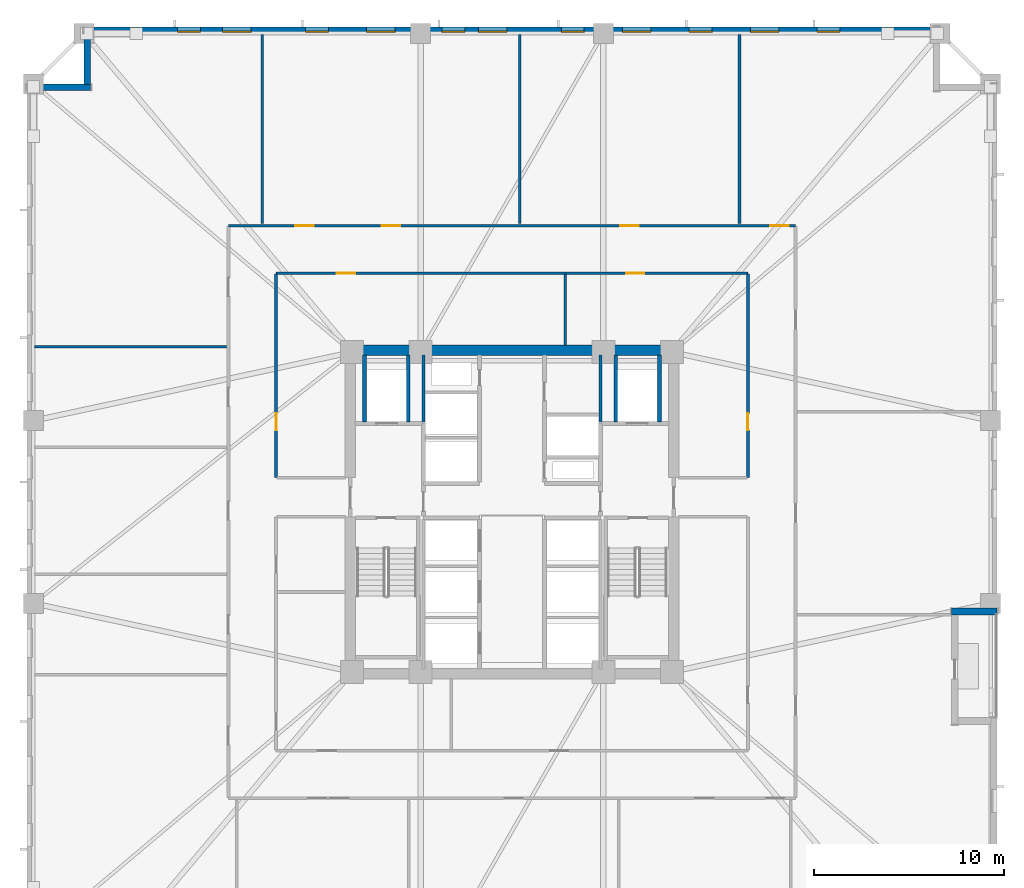
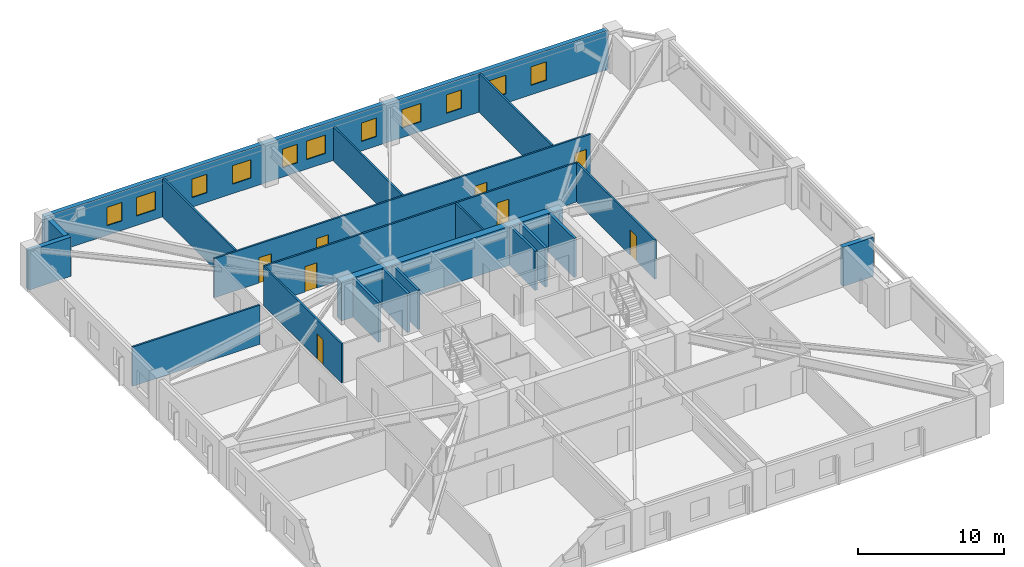
# One storey, part 5 of 11: 20 walls, 11 windows, 8 doors, 19 openings.
"""IFC4 building model written with IfcOpenShell, lengths in metres."""

from ifc_helpers import new_model, si_unit, direction, frame, frame_2d, origin, place, context, subcontext, project, spatial, rectangle, extrude, material, layer, layer_set, type_object, element, fill, save


model = new_model("IFC4")

# Units and contexts
model_context = context("Model", 3, precision=1e-05, world=origin(), true_north=direction((0.0, 1.0)))
body_context = subcontext(model_context, "Body", "Model", "MODEL_VIEW")
ifc_project = project(units=[si_unit("LENGTHUNIT", "METRE"), si_unit("AREAUNIT", "SQUARE_METRE"), si_unit("VOLUMEUNIT", "CUBIC_METRE"), si_unit("PLANEANGLEUNIT", "RADIAN"), si_unit("MASSUNIT", "GRAM", prefix="KILO")], contexts=[model_context])

# Site, building, storey
site_placement = place(None, origin())
site = spatial("IfcSite", under=ifc_project, at=site_placement, CompositionType="ELEMENT")
building_placement = place(site_placement, origin())
building = spatial("IfcBuilding", under=site, at=building_placement, Name="Cairnveth Concourse Tower", CompositionType="ELEMENT")
storey_placement = place(building_placement, frame((0.0, 0.0, 62.0)))
storey = spatial("IfcBuildingStorey", under=building, at=storey_placement, Name="L16", CompositionType="ELEMENT", Elevation=62.0)

# Walls
ifc_material_1 = material(Name="Concrete N80 (80 MPa)", Category="concrete")
ifc_layer_1 = layer(ifc_material_1, 0.550048828125)
ifc_layer_set_1 = layer_set([ifc_layer_1], Name="Concrete N80 (80 MPa)")
wall_type_1 = type_object("IfcWallType", Name="CORE SHEAR WALL 550", PredefinedType="SHEAR", material=ifc_layer_set_1)
wall_1_placement = place(storey_placement, frame((43.22509765625, 47.5, 0.0), z_axis=(0.0, 0.0, 1.0), x_axis=(1.0, 0.0, 0.0)))
element("IfcWall", 1, at=wall_1_placement, inside=storey, type_object=wall_type_1, Name="Core North Shear Wall L16", PredefinedType="SHEAR", context=body_context, shape_type="SweptSolid", body=[
    extrude(rectangle(XDim=17.5498046875, YDim=0.550048828125, at=frame_2d((8.77490234375, 0.0))), origin(), (0.0, 0.0, 1.0), 3.280029296875),
])
ifc_material_2 = material(Name="Concrete N50 (50 MPa)", Category="concrete")
ifc_layer_2 = layer(ifc_material_2, 0.179931640625)
ifc_layer_set_2 = layer_set([ifc_layer_2], Name="Concrete N50 (50 MPa)")
wall_type_2 = type_object("IfcWallType", Name="FIRE SHAFT WALL 180", PredefinedType="SOLIDWALL", material=ifc_layer_set_2)
for number, where, z_axis, x_axis, name in (
    (2, (47.35009765625, 43.735107421875, 0.0), (0.0, 0.0, 1.0), (0.0, 1.0, 0.0), "Interior Wall IW-L16-031"),
    (3, (56.64990234375, 43.735107421875, 0.0), (0.0, 0.0, 1.0), (0.0, 1.0, 0.0), "Interior Wall IW-L16-034"),
):
    element("IfcWall", number, at=place(storey_placement, frame(where, z_axis=z_axis, x_axis=x_axis)), inside=storey, type_object=wall_type_2, Name=name, PredefinedType="SOLIDWALL", context=body_context, shape_type="SweptSolid", body=[
        extrude(rectangle(XDim=3.5048828125, YDim=0.179931640625, at=frame_2d((1.75244140625, 0.0))), origin(), (0.0, 0.0, 1.0), 3.280029296875),
    ])
ifc_layer_3 = layer(ifc_material_2, 0.199951171875)
ifc_layer_set_3 = layer_set([ifc_layer_3], Name="Concrete N50 (50 MPa)")
wall_type_3 = type_object("IfcWallType", Name="FIRE SHAFT WALL 200", PredefinedType="SOLIDWALL", material=ifc_layer_set_3)
for number, where, z_axis, x_axis, name in (
    (4, (46.550048828125, 43.735107421875, 0.0), (0.0, 0.0, 1.0), (0.0, 1.0, 0.0), "Interior Wall IW-L16-018"),
    (5, (44.25, 43.735107421875, 0.0), (0.0, 0.0, 1.0), (0.0, 1.0, 0.0), "Interior Wall IW-L16-019"),
    (6, (57.449951171875, 43.735107421875, 0.0), (0.0, 0.0, 1.0), (0.0, 1.0, 0.0), "Interior Wall IW-L16-023"),
    (7, (59.75, 43.735107421875, 0.0), (0.0, 0.0, 1.0), (0.0, 1.0, 0.0), "Interior Wall IW-L16-024"),
):
    element("IfcWall", number, at=place(storey_placement, frame(where, z_axis=z_axis, x_axis=x_axis)), inside=storey, type_object=wall_type_3, Name=name, PredefinedType="SOLIDWALL", context=body_context, shape_type="SweptSolid", body=[
        extrude(rectangle(XDim=3.5048828125, YDim=0.199951171875, at=frame_2d((1.75244140625, 0.0))), origin(), (0.0, 0.0, 1.0), 3.280029296875),
    ])

# Wall, openings, doors
ifc_material_3 = material(Name="Gypsum Plasterboard Partition", Category="gypsum")
ifc_layer_4 = layer(ifc_material_3, 0.139892578125)
ifc_layer_set_4 = layer_set([ifc_layer_4], Name="Gypsum Plasterboard Partition")
wall_type_4 = type_object("IfcWallType", Name="GYPSUM STUD PARTITION 140", PredefinedType="PARTITIONING", material=ifc_layer_set_4)
wall_2_placement = place(storey_placement, frame((37.10009765625, 54.050048828125, 0.0), z_axis=(0.0, 0.0, 1.0), x_axis=(1.0, 0.0, 0.0)))
wall_2 = element("IfcWall", 8, at=wall_2_placement, inside=storey, type_object=wall_type_4, Name="Interior Wall IW-L16-038", PredefinedType="PARTITIONING", context=body_context, shape_type="SweptSolid", body=[
    extrude(rectangle(XDim=29.7998046875, YDim=0.139892578125, at=frame_2d((14.89990234375, 0.0))), origin(), (0.0, 0.0, 1.0), 3.280029296875),
])
opening_1_placement = place(wall_2_placement, frame((3.5224609375, 0.0, 0.0)))
opening_1 = element("IfcOpeningElement", 9, at=opening_1_placement, cuts=wall_2, Name="Opening ID11", PredefinedType="OPENING", context=body_context, shape_type="SweptSolid", body=[
    extrude(rectangle(XDim=0.9599609375, YDim=2.1201171875, at=frame_2d((0.47998046875, 1.06005859375))), frame((0.0, 0.079833984375, 0.0), z_axis=(0.0, -1.0, 0.0), x_axis=(1.0, 0.0, 0.0)), (0.0, 0.0, 1.0), 0.159912109375),
])
opening_2_placement = place(wall_2_placement, frame((8.06005859375, 0.0, 0.0)))
opening_2 = element("IfcOpeningElement", 10, at=opening_2_placement, cuts=wall_2, Name="Opening ID11", PredefinedType="OPENING", context=body_context, shape_type="SweptSolid", body=[
    extrude(rectangle(XDim=0.9599609375, YDim=2.1201171875, at=frame_2d((0.47998046875, 1.06005859375))), frame((0.0, 0.079833984375, 0.0), z_axis=(0.0, -1.0, 0.0), x_axis=(1.0, 0.0, 0.0)), (0.0, 0.0, 1.0), 0.159912109375),
])
opening_3_placement = place(wall_2_placement, frame((20.60009765625, 0.0, 0.0)))
opening_3 = element("IfcOpeningElement", 11, at=opening_3_placement, cuts=wall_2, Name="Opening ID11", PredefinedType="OPENING", context=body_context, shape_type="SweptSolid", body=[
    extrude(rectangle(XDim=0.9599609375, YDim=2.1201171875, at=frame_2d((0.47998046875, 1.06005859375))), frame((0.0, 0.079833984375, 0.0), z_axis=(0.0, -1.0, 0.0), x_axis=(1.0, 0.0, 0.0)), (0.0, 0.0, 1.0), 0.159912109375),
])
opening_4_placement = place(wall_2_placement, frame((28.47998046875, 0.0, 0.0)))
opening_4 = element("IfcOpeningElement", 12, at=opening_4_placement, cuts=wall_2, Name="Opening ID11", PredefinedType="OPENING", context=body_context, shape_type="SweptSolid", body=[
    extrude(rectangle(XDim=0.9599609375, YDim=2.1201171875, at=frame_2d((0.47998046875, 1.06005859375))), frame((0.0, 0.079833984375, 0.0), z_axis=(0.0, -1.0, 0.0), x_axis=(1.0, 0.0, 0.0)), (0.0, 0.0, 1.0), 0.159912109375),
])
ifc_material_4 = material(Name="Solid Core Hardwood Timber Leaf", Category="wood")
door_type_1 = type_object("IfcDoorType", Name="INTERIOR SINGLE DOOR 960X2150", OperationType="NOTDEFINED", PredefinedType="DOOR", material=ifc_material_4)
door_1_placement = place(opening_1_placement, origin())
door_1 = element("IfcDoor", 13, at=door_1_placement, inside=storey, type_object=door_type_1, Name="Office Door L16-N1", OperationType="SINGLE_SWING_LEFT", OverallHeight=2.1201171875, OverallWidth=0.9599609375, PredefinedType="DOOR", context=body_context, shape_type="SweptSolid", body=[
    extrude(rectangle(XDim=0.9599609375, YDim=2.1201171875, at=frame_2d((0.47998046875, 1.06005859375))), frame((0.0, 0.02490234375, 0.0), z_axis=(0.0, -1.0, 0.0), x_axis=(1.0, 0.0, 0.0)), (0.0, 0.0, 1.0), 0.050048828125),
])
fill(opening_1, door_1)
door_2_placement = place(opening_2_placement, origin())
door_2 = element("IfcDoor", 14, at=door_2_placement, inside=storey, type_object=door_type_1, Name="Office Door L16-N2", OperationType="SINGLE_SWING_RIGHT", OverallHeight=2.1201171875, OverallWidth=0.9599609375, PredefinedType="DOOR", context=body_context, shape_type="SweptSolid", body=[
    extrude(rectangle(XDim=0.9599609375, YDim=2.1201171875, at=frame_2d((0.47998046875, 1.06005859375))), frame((0.0, 0.02490234375, 0.0), z_axis=(0.0, -1.0, 0.0), x_axis=(1.0, 0.0, 0.0)), (0.0, 0.0, 1.0), 0.050048828125),
])
fill(opening_2, door_2)
door_3_placement = place(opening_3_placement, origin())
door_3 = element("IfcDoor", 15, at=door_3_placement, inside=storey, type_object=door_type_1, Name="Office Door L16-N3", OperationType="SINGLE_SWING_LEFT", OverallHeight=2.1201171875, OverallWidth=0.9599609375, PredefinedType="DOOR", context=body_context, shape_type="SweptSolid", body=[
    extrude(rectangle(XDim=0.9599609375, YDim=2.1201171875, at=frame_2d((0.47998046875, 1.06005859375))), frame((0.0, 0.02490234375, 0.0), z_axis=(0.0, -1.0, 0.0), x_axis=(1.0, 0.0, 0.0)), (0.0, 0.0, 1.0), 0.050048828125),
])
fill(opening_3, door_3)
door_4_placement = place(opening_4_placement, origin())
door_4 = element("IfcDoor", 16, at=door_4_placement, inside=storey, type_object=door_type_1, Name="Office Door L16-N4", OperationType="SINGLE_SWING_RIGHT", OverallHeight=2.1201171875, OverallWidth=0.9599609375, PredefinedType="DOOR", context=body_context, shape_type="SweptSolid", body=[
    extrude(rectangle(XDim=0.9599609375, YDim=2.1201171875, at=frame_2d((0.47998046875, 1.06005859375))), frame((0.0, 0.02490234375, 0.0), z_axis=(0.0, -1.0, 0.0), x_axis=(1.0, 0.0, 0.0)), (0.0, 0.0, 1.0), 0.050048828125),
])
fill(opening_4, door_4)

wall_3_placement = place(storey_placement, frame((39.60009765625, 51.550048828125, 0.0), z_axis=(0.0, 0.0, 1.0), x_axis=(1.0, 0.0, 0.0)))
wall_3 = element("IfcWall", 17, at=wall_3_placement, inside=storey, type_object=wall_type_4, Name="Interior Wall IW-L16-042", PredefinedType="PARTITIONING", context=body_context, shape_type="SweptSolid", body=[
    extrude(rectangle(XDim=24.7998046875, YDim=0.139892578125, at=frame_2d((12.39990234375, 0.0))), origin(), (0.0, 0.0, 1.0), 3.280029296875),
])
opening_5_placement = place(wall_3_placement, frame((3.199951171875, 0.0, 0.0)))
opening_5 = element("IfcOpeningElement", 18, at=opening_5_placement, cuts=wall_3, Name="Opening ID11", PredefinedType="OPENING", context=body_context, shape_type="SweptSolid", body=[
    extrude(rectangle(XDim=0.9599609375, YDim=2.1201171875, at=frame_2d((0.47998046875, 1.06005859375))), frame((0.0, 0.079833984375, 0.0), z_axis=(0.0, -1.0, 0.0), x_axis=(1.0, 0.0, 0.0)), (0.0, 0.0, 1.0), 0.159912109375),
])
opening_6_placement = place(wall_3_placement, frame((18.39990234375, 0.0, 0.0)))
opening_6 = element("IfcOpeningElement", 19, at=opening_6_placement, cuts=wall_3, Name="Opening ID11", PredefinedType="OPENING", context=body_context, shape_type="SweptSolid", body=[
    extrude(rectangle(XDim=0.9599609375, YDim=2.1201171875, at=frame_2d((0.47998046875, 1.06005859375))), frame((0.0, 0.079833984375, 0.0), z_axis=(0.0, -1.0, 0.0), x_axis=(1.0, 0.0, 0.0)), (0.0, 0.0, 1.0), 0.159912109375),
])
door_5_placement = place(opening_5_placement, origin())
door_5 = element("IfcDoor", 20, at=door_5_placement, inside=storey, type_object=door_type_1, Name="Interior Door DR-L16-015", OperationType="SINGLE_SWING_LEFT", OverallHeight=2.1201171875, OverallWidth=0.9599609375, PredefinedType="DOOR", context=body_context, shape_type="SweptSolid", body=[
    extrude(rectangle(XDim=0.9599609375, YDim=2.1201171875, at=frame_2d((0.47998046875, 1.06005859375))), frame((0.0, 0.02490234375, 0.0), z_axis=(0.0, -1.0, 0.0), x_axis=(1.0, 0.0, 0.0)), (0.0, 0.0, 1.0), 0.050048828125),
])
fill(opening_5, door_5)
door_6_placement = place(opening_6_placement, origin())
door_6 = element("IfcDoor", 21, at=door_6_placement, inside=storey, type_object=door_type_1, Name="Interior Door DR-L16-016", OperationType="SINGLE_SWING_RIGHT", OverallHeight=2.1201171875, OverallWidth=0.9599609375, PredefinedType="DOOR", context=body_context, shape_type="SweptSolid", body=[
    extrude(rectangle(XDim=0.9599609375, YDim=2.1201171875, at=frame_2d((0.47998046875, 1.06005859375))), frame((0.0, 0.02490234375, 0.0), z_axis=(0.0, -1.0, 0.0), x_axis=(1.0, 0.0, 0.0)), (0.0, 0.0, 1.0), 0.050048828125),
])
fill(opening_6, door_6)

# Wall, opening, door
wall_4_placement = place(storey_placement, frame((39.60009765625, 40.800048828125, 0.0), z_axis=(0.0, 0.0, 1.0), x_axis=(0.0, 1.0, 0.0)))
wall_4 = element("IfcWall", 22, at=wall_4_placement, inside=storey, type_object=wall_type_4, Name="Interior Wall IW-L16-044", PredefinedType="PARTITIONING", context=body_context, shape_type="SweptSolid", body=[
    extrude(rectangle(XDim=10.695068359375, YDim=0.139892578125, at=frame_2d((5.34765625, 0.0))), origin(), (0.0, 0.0, 1.0), 3.280029296875),
])
opening_7_placement = place(wall_4_placement, frame((2.5, 0.0, 0.0)))
opening_7 = element("IfcOpeningElement", 23, at=opening_7_placement, cuts=wall_4, Name="Opening ID18", PredefinedType="OPENING", context=body_context, shape_type="SweptSolid", body=[
    extrude(rectangle(XDim=0.8798828125, YDim=2.10009765625, at=frame_2d((0.43994140625, 1.050048828125))), frame((0.0, 0.079833984375, 0.0), z_axis=(0.0, -1.0, 0.0), x_axis=(1.0, 0.0, 0.0)), (0.0, 0.0, 1.0), 0.159912109375),
])
door_type_2 = type_object("IfcDoorType", Name="INTERIOR SINGLE DOOR 880X2100", OperationType="NOTDEFINED", PredefinedType="DOOR", material=ifc_material_4)
door_7_placement = place(opening_7_placement, origin())
door_7 = element("IfcDoor", 24, at=door_7_placement, inside=storey, type_object=door_type_2, Name="Interior Door DR-L16-019", OperationType="SINGLE_SWING_LEFT", OverallHeight=2.10009765625, OverallWidth=0.8798828125, PredefinedType="DOOR", context=body_context, shape_type="SweptSolid", body=[
    extrude(rectangle(XDim=0.8798828125, YDim=2.10009765625, at=frame_2d((0.43994140625, 1.050048828125))), frame((0.0, 0.02490234375, 0.0), z_axis=(0.0, -1.0, 0.0), x_axis=(1.0, 0.0, 0.0)), (0.0, 0.0, 1.0), 0.050048828125),
])
fill(opening_7, door_7)

wall_5_placement = place(storey_placement, frame((64.39990234375, 40.800048828125, 0.0), z_axis=(0.0, 0.0, 1.0), x_axis=(0.0, 1.0, 0.0)))
wall_5 = element("IfcWall", 25, at=wall_5_placement, inside=storey, type_object=wall_type_4, Name="Interior Wall IW-L16-048", PredefinedType="PARTITIONING", context=body_context, shape_type="SweptSolid", body=[
    extrude(rectangle(XDim=10.695068359375, YDim=0.139892578125, at=frame_2d((5.34765625, 0.0))), origin(), (0.0, 0.0, 1.0), 3.280029296875),
])
opening_8_placement = place(wall_5_placement, frame((2.5, 0.0, 0.0)))
opening_8 = element("IfcOpeningElement", 26, at=opening_8_placement, cuts=wall_5, Name="Opening ID18", PredefinedType="OPENING", context=body_context, shape_type="SweptSolid", body=[
    extrude(rectangle(XDim=0.8798828125, YDim=2.10009765625, at=frame_2d((0.43994140625, 1.050048828125))), frame((0.0, 0.079833984375, 0.0), z_axis=(0.0, -1.0, 0.0), x_axis=(1.0, 0.0, 0.0)), (0.0, 0.0, 1.0), 0.159912109375),
])
door_8_placement = place(opening_8_placement, origin())
door_8 = element("IfcDoor", 27, at=door_8_placement, inside=storey, type_object=door_type_2, Name="Interior Door DR-L16-021", OperationType="SINGLE_SWING_LEFT", OverallHeight=2.10009765625, OverallWidth=0.8798828125, PredefinedType="DOOR", context=body_context, shape_type="SweptSolid", body=[
    extrude(rectangle(XDim=0.8798828125, YDim=2.10009765625, at=frame_2d((0.43994140625, 1.050048828125))), frame((0.0, 0.02490234375, 0.0), z_axis=(0.0, -1.0, 0.0), x_axis=(1.0, 0.0, 0.0)), (0.0, 0.0, 1.0), 0.050048828125),
])
fill(opening_8, door_8)

# Walls
wall_6_placement = place(storey_placement, frame((54.800048828125, 47.760009765625, 0.0), z_axis=(0.0, 0.0, 1.0), x_axis=(0.0, 1.0, 0.0)))
element("IfcWall", 28, at=wall_6_placement, inside=storey, type_object=wall_type_4, Name="Interior Wall IW-L16-052", PredefinedType="PARTITIONING", context=body_context, shape_type="SweptSolid", body=[
    extrude(rectangle(XDim=3.735107421875, YDim=0.139892578125, at=frame_2d((1.86767578125, 0.0))), origin(), (0.0, 0.0, 1.0), 3.280029296875),
])
wall_7_placement = place(storey_placement, frame((38.875, 54.14990234375, 0.0), z_axis=(0.0, 0.0, 1.0), x_axis=(0.0, 1.0, 0.0)))
element("IfcWall", 29, at=wall_7_placement, inside=storey, type_object=wall_type_4, Name="Interior Wall IW-L16-058", PredefinedType="PARTITIONING", context=body_context, shape_type="SweptSolid", body=[
    extrude(rectangle(XDim=9.93017578125, YDim=0.139892578125, at=frame_2d((4.965087890625, 0.0))), origin(), (0.0, 0.0, 1.0), 3.280029296875),
])
wall_8_placement = place(storey_placement, frame((52.405029296875, 54.14990234375, 0.0), z_axis=(0.0, 0.0, 1.0), x_axis=(0.0, 1.0, 0.0)))
element("IfcWall", 30, at=wall_8_placement, inside=storey, type_object=wall_type_4, Name="Interior Wall IW-L16-059", PredefinedType="PARTITIONING", context=body_context, shape_type="SweptSolid", body=[
    extrude(rectangle(XDim=9.93017578125, YDim=0.139892578125, at=frame_2d((4.965087890625, 0.0))), origin(), (0.0, 0.0, 1.0), 2.84912109375),
])
wall_9_placement = place(storey_placement, frame((63.955078125, 54.14990234375, 0.0), z_axis=(0.0, 0.0, 1.0), x_axis=(0.0, 1.0, 0.0)))
element("IfcWall", 31, at=wall_9_placement, inside=storey, type_object=wall_type_4, Name="Interior Wall IW-L16-060", PredefinedType="PARTITIONING", context=body_context, shape_type="SweptSolid", body=[
    extrude(rectangle(XDim=9.93017578125, YDim=0.139892578125, at=frame_2d((4.965087890625, 0.0))), origin(), (0.0, 0.0, 1.0), 3.280029296875),
])
wall_10_placement = place(storey_placement, frame((26.919921875, 47.6865234375, 0.0), z_axis=(0.0, 0.0, 1.0), x_axis=(1.0, 0.0, 0.0)))
element("IfcWall", 32, at=wall_10_placement, inside=storey, type_object=wall_type_4, Name="Interior Wall IW-L16-064", PredefinedType="PARTITIONING", context=body_context, shape_type="SweptSolid", body=[
    extrude(rectangle(XDim=10.080078125, YDim=0.139892578125, at=frame_2d((5.0400390625, 0.0))), origin(), (0.0, 0.0, 1.0), 3.280029296875),
])
ifc_material_5 = material(Name="Hawthorn Red-Ochre Fired Clay Brick Masonry", Category="masonry")
ifc_layer_5 = layer(ifc_material_5, 0.360107421875)
ifc_layer_set_5 = layer_set([ifc_layer_5], Name="Hawthorn Red-Ochre Fired Clay Brick Masonry")
wall_type_5 = type_object("IfcWallType", Name="ZONE 1 BRICK PIER SPANDREL WALL 360", PredefinedType="SOLIDWALL", material=ifc_layer_set_5)
wall_11_placement = place(storey_placement, frame((26.5, 61.320068359375, 0.0), z_axis=(0.0, 0.0, 1.0), x_axis=(1.0, 0.0, 0.0)))
element("IfcWall", 33, at=wall_11_placement, inside=storey, type_object=wall_type_5, Name="Exterior Wall EW-L16-S07", PredefinedType="SOLIDWALL", context=body_context, shape_type="SweptSolid", body=[
    extrude(rectangle(XDim=3.360107421875, YDim=0.360107421875, at=frame_2d((1.68017578125, 0.0))), origin(), (0.0, 0.0, 1.0), 3.280029296875),
])
wall_12_placement = place(storey_placement, frame((29.679931640625, 61.47802734375, 0.0), z_axis=(0.0, 0.0, 1.0), x_axis=(0.0, 1.0, 0.0)))
element("IfcWall", 34, at=wall_12_placement, inside=storey, type_object=wall_type_5, Name="Exterior Wall EW-L16-S08", PredefinedType="SOLIDWALL", context=body_context, shape_type="SweptSolid", body=[
    extrude(rectangle(XDim=2.68408203125, YDim=0.360107421875, at=frame_2d((1.342041015625, 0.0))), origin(), (0.0, 0.0, 1.0), 3.280029296875),
])

# Wall, openings, windows
wall_13_placement = place(storey_placement, frame((29.5, 64.320068359375, 0.0), z_axis=(0.0, 0.0, 1.0), x_axis=(1.0, 0.0, 0.0)))
wall_13 = element("IfcWall", 35, at=wall_13_placement, inside=storey, type_object=wall_type_5, Name="Exterior Wall EW-L16-S09", PredefinedType="SOLIDWALL", context=body_context, shape_type="SweptSolid", body=[
    extrude(rectangle(XDim=44.662109375, YDim=0.360107421875, at=frame_2d((22.3310546875, 0.0))), origin(), (0.0, 0.0, 1.0), 3.280029296875),
])
opening_9_placement = place(wall_13_placement, frame((4.93017578125, 0.0, 0.800048828125)))
opening_9 = element("IfcOpeningElement", 36, at=opening_9_placement, cuts=wall_13, Name="Opening W01", PredefinedType="OPENING", context=body_context, shape_type="SweptSolid", body=[
    extrude(rectangle(XDim=1.199951171875, YDim=1.5439453125, at=frame_2d((0.60009765625, 0.77197265625))), frame((0.0, 0.18994140625, 0.0), z_axis=(0.0, -1.0, 0.0), x_axis=(1.0, 0.0, 0.0)), (0.0, 0.0, 1.0), 0.380126953125),
])
opening_10_placement = place(wall_13_placement, frame((7.290283203125, 0.0, 0.800048828125)))
opening_10 = element("IfcOpeningElement", 37, at=opening_10_placement, cuts=wall_13, Name="Opening W03", PredefinedType="OPENING", context=body_context, shape_type="SweptSolid", body=[
    extrude(rectangle(XDim=1.5, YDim=1.5439453125, at=frame_2d((0.75, 0.77197265625))), frame((0.0, 0.18994140625, 0.0), z_axis=(0.0, -1.0, 0.0), x_axis=(1.0, 0.0, 0.0)), (0.0, 0.0, 1.0), 0.380126953125),
])
opening_11_placement = place(wall_13_placement, frame((11.650390625, 0.0, 0.800048828125)))
opening_11 = element("IfcOpeningElement", 38, at=opening_11_placement, cuts=wall_13, Name="Opening W01", PredefinedType="OPENING", context=body_context, shape_type="SweptSolid", body=[
    extrude(rectangle(XDim=1.199951171875, YDim=1.5439453125, at=frame_2d((0.60009765625, 0.77197265625))), frame((0.0, 0.18994140625, 0.0), z_axis=(0.0, -1.0, 0.0), x_axis=(1.0, 0.0, 0.0)), (0.0, 0.0, 1.0), 0.380126953125),
])
opening_12_placement = place(wall_13_placement, frame((14.860595703125, 0.0, 0.800048828125)))
opening_12 = element("IfcOpeningElement", 39, at=opening_12_placement, cuts=wall_13, Name="Opening W03", PredefinedType="OPENING", context=body_context, shape_type="SweptSolid", body=[
    extrude(rectangle(XDim=1.5, YDim=1.5439453125, at=frame_2d((0.75, 0.77197265625))), frame((0.0, 0.18994140625, 0.0), z_axis=(0.0, -1.0, 0.0), x_axis=(1.0, 0.0, 0.0)), (0.0, 0.0, 1.0), 0.380126953125),
])
opening_13_placement = place(wall_13_placement, frame((18.82080078125, 0.0, 0.800048828125)))
opening_13 = element("IfcOpeningElement", 40, at=opening_13_placement, cuts=wall_13, Name="Opening W01", PredefinedType="OPENING", context=body_context, shape_type="SweptSolid", body=[
    extrude(rectangle(XDim=1.199951171875, YDim=1.5439453125, at=frame_2d((0.60009765625, 0.77197265625))), frame((0.0, 0.18994140625, 0.0), z_axis=(0.0, -1.0, 0.0), x_axis=(1.0, 0.0, 0.0)), (0.0, 0.0, 1.0), 0.380126953125),
])
opening_14_placement = place(wall_13_placement, frame((20.73095703125, 0.0, 0.800048828125)))
opening_14 = element("IfcOpeningElement", 41, at=opening_14_placement, cuts=wall_13, Name="Opening W03", PredefinedType="OPENING", context=body_context, shape_type="SweptSolid", body=[
    extrude(rectangle(XDim=1.5, YDim=1.5439453125, at=frame_2d((0.75, 0.77197265625))), frame((0.0, 0.18994140625, 0.0), z_axis=(0.0, -1.0, 0.0), x_axis=(1.0, 0.0, 0.0)), (0.0, 0.0, 1.0), 0.380126953125),
])
opening_15_placement = place(wall_13_placement, frame((25.09130859375, 0.0, 0.800048828125)))
opening_15 = element("IfcOpeningElement", 42, at=opening_15_placement, cuts=wall_13, Name="Opening W01", PredefinedType="OPENING", context=body_context, shape_type="SweptSolid", body=[
    extrude(rectangle(XDim=1.199951171875, YDim=1.5439453125, at=frame_2d((0.60009765625, 0.77197265625))), frame((0.0, 0.18994140625, 0.0), z_axis=(0.0, -1.0, 0.0), x_axis=(1.0, 0.0, 0.0)), (0.0, 0.0, 1.0), 0.380126953125),
])
opening_16_placement = place(wall_13_placement, frame((28.301513671875, 0.0, 0.800048828125)))
opening_16 = element("IfcOpeningElement", 43, at=opening_16_placement, cuts=wall_13, Name="Opening W03", PredefinedType="OPENING", context=body_context, shape_type="SweptSolid", body=[
    extrude(rectangle(XDim=1.5, YDim=1.5439453125, at=frame_2d((0.75, 0.77197265625))), frame((0.0, 0.18994140625, 0.0), z_axis=(0.0, -1.0, 0.0), x_axis=(1.0, 0.0, 0.0)), (0.0, 0.0, 1.0), 0.380126953125),
])
opening_17_placement = place(wall_13_placement, frame((31.8115234375, 0.0, 0.800048828125)))
opening_17 = element("IfcOpeningElement", 44, at=opening_17_placement, cuts=wall_13, Name="Opening W01", PredefinedType="OPENING", context=body_context, shape_type="SweptSolid", body=[
    extrude(rectangle(XDim=1.199951171875, YDim=1.5439453125, at=frame_2d((0.60009765625, 0.77197265625))), frame((0.0, 0.18994140625, 0.0), z_axis=(0.0, -1.0, 0.0), x_axis=(1.0, 0.0, 0.0)), (0.0, 0.0, 1.0), 0.380126953125),
])
opening_18_placement = place(wall_13_placement, frame((35.021728515625, 0.0, 0.800048828125)))
opening_18 = element("IfcOpeningElement", 45, at=opening_18_placement, cuts=wall_13, Name="Opening W03", PredefinedType="OPENING", context=body_context, shape_type="SweptSolid", body=[
    extrude(rectangle(XDim=1.5, YDim=1.5439453125, at=frame_2d((0.75, 0.77197265625))), frame((0.0, 0.18994140625, 0.0), z_axis=(0.0, -1.0, 0.0), x_axis=(1.0, 0.0, 0.0)), (0.0, 0.0, 1.0), 0.380126953125),
])
opening_19_placement = place(wall_13_placement, frame((38.531982421875, 0.0, 0.800048828125)))
opening_19 = element("IfcOpeningElement", 46, at=opening_19_placement, cuts=wall_13, Name="Opening W01", PredefinedType="OPENING", context=body_context, shape_type="SweptSolid", body=[
    extrude(rectangle(XDim=1.199951171875, YDim=1.5439453125, at=frame_2d((0.60009765625, 0.77197265625))), frame((0.0, 0.18994140625, 0.0), z_axis=(0.0, -1.0, 0.0), x_axis=(1.0, 0.0, 0.0)), (0.0, 0.0, 1.0), 0.380126953125),
])
ifc_material_6 = material(Name="Double Glazed Low-E Clear Glass", Category="glass")
window_type_1 = type_object("IfcWindowType", Name="DEEP-SET GOTHIC LANCET WINDOW 1200X1800", PartitioningType="DOUBLE_PANEL_VERTICAL", PredefinedType="WINDOW", material=ifc_material_6)
window_1_placement = place(opening_9_placement, origin())
window_1 = element("IfcWindow", 47, at=window_1_placement, inside=storey, type_object=window_type_1, Name="Gothic Lancet Window L16-9-1", OverallHeight=1.5439453125, OverallWidth=1.199951171875, PartitioningType="SINGLE_PANEL", PredefinedType="WINDOW", context=body_context, shape_type="SweptSolid", body=[
    extrude(rectangle(XDim=1.199951171875, YDim=1.5439453125, at=frame_2d((0.60009765625, 0.77197265625))), frame((0.0, -0.050048828125, 0.0), z_axis=(0.0, -1.0, 0.0), x_axis=(1.0, 0.0, 0.0)), (0.0, 0.0, 1.0), 0.06005859375),
])
fill(opening_9, window_1)
window_2_placement = place(opening_11_placement, origin())
window_2 = element("IfcWindow", 48, at=window_2_placement, inside=storey, type_object=window_type_1, Name="Gothic Lancet Window L16-9-3", OverallHeight=1.5439453125, OverallWidth=1.199951171875, PartitioningType="SINGLE_PANEL", PredefinedType="WINDOW", context=body_context, shape_type="SweptSolid", body=[
    extrude(rectangle(XDim=1.199951171875, YDim=1.5439453125, at=frame_2d((0.60009765625, 0.77197265625))), frame((0.0, -0.050048828125, 0.0), z_axis=(0.0, -1.0, 0.0), x_axis=(1.0, 0.0, 0.0)), (0.0, 0.0, 1.0), 0.06005859375),
])
fill(opening_11, window_2)
window_3_placement = place(opening_13_placement, origin())
window_3 = element("IfcWindow", 49, at=window_3_placement, inside=storey, type_object=window_type_1, Name="Gothic Lancet Window L16-9-5", OverallHeight=1.5439453125, OverallWidth=1.199951171875, PartitioningType="SINGLE_PANEL", PredefinedType="WINDOW", context=body_context, shape_type="SweptSolid", body=[
    extrude(rectangle(XDim=1.199951171875, YDim=1.5439453125, at=frame_2d((0.60009765625, 0.77197265625))), frame((0.0, -0.050048828125, 0.0), z_axis=(0.0, -1.0, 0.0), x_axis=(1.0, 0.0, 0.0)), (0.0, 0.0, 1.0), 0.06005859375),
])
fill(opening_13, window_3)
window_4_placement = place(opening_15_placement, origin())
window_4 = element("IfcWindow", 50, at=window_4_placement, inside=storey, type_object=window_type_1, Name="Gothic Lancet Window L16-9-7", OverallHeight=1.5439453125, OverallWidth=1.199951171875, PartitioningType="SINGLE_PANEL", PredefinedType="WINDOW", context=body_context, shape_type="SweptSolid", body=[
    extrude(rectangle(XDim=1.199951171875, YDim=1.5439453125, at=frame_2d((0.60009765625, 0.77197265625))), frame((0.0, -0.050048828125, 0.0), z_axis=(0.0, -1.0, 0.0), x_axis=(1.0, 0.0, 0.0)), (0.0, 0.0, 1.0), 0.06005859375),
])
fill(opening_15, window_4)
window_5_placement = place(opening_17_placement, origin())
window_5 = element("IfcWindow", 51, at=window_5_placement, inside=storey, type_object=window_type_1, Name="Gothic Lancet Window L16-9-9", OverallHeight=1.5439453125, OverallWidth=1.199951171875, PartitioningType="SINGLE_PANEL", PredefinedType="WINDOW", context=body_context, shape_type="SweptSolid", body=[
    extrude(rectangle(XDim=1.199951171875, YDim=1.5439453125, at=frame_2d((0.60009765625, 0.77197265625))), frame((0.0, -0.050048828125, 0.0), z_axis=(0.0, -1.0, 0.0), x_axis=(1.0, 0.0, 0.0)), (0.0, 0.0, 1.0), 0.06005859375),
])
fill(opening_17, window_5)
window_6_placement = place(opening_19_placement, origin())
window_6 = element("IfcWindow", 52, at=window_6_placement, inside=storey, type_object=window_type_1, Name="Gothic Lancet Window L16-9-11", OverallHeight=1.5439453125, OverallWidth=1.199951171875, PartitioningType="SINGLE_PANEL", PredefinedType="WINDOW", context=body_context, shape_type="SweptSolid", body=[
    extrude(rectangle(XDim=1.199951171875, YDim=1.5439453125, at=frame_2d((0.60009765625, 0.77197265625))), frame((0.0, -0.050048828125, 0.0), z_axis=(0.0, -1.0, 0.0), x_axis=(1.0, 0.0, 0.0)), (0.0, 0.0, 1.0), 0.06005859375),
])
fill(opening_19, window_6)
window_type_2 = type_object("IfcWindowType", Name="DEEP-SET GOTHIC LANCET WINDOW 1500X1800", PartitioningType="DOUBLE_PANEL_VERTICAL", PredefinedType="WINDOW", material=ifc_material_6)
window_7_placement = place(opening_10_placement, origin())
window_7 = element("IfcWindow", 53, at=window_7_placement, inside=storey, type_object=window_type_2, Name="Gothic Lancet Window L16-9-2", OverallHeight=1.5439453125, OverallWidth=1.5, PartitioningType="SINGLE_PANEL", PredefinedType="WINDOW", context=body_context, shape_type="SweptSolid", body=[
    extrude(rectangle(XDim=1.5, YDim=1.5439453125, at=frame_2d((0.75, 0.77197265625))), frame((0.0, -0.050048828125, 0.0), z_axis=(0.0, -1.0, 0.0), x_axis=(1.0, 0.0, 0.0)), (0.0, 0.0, 1.0), 0.06005859375),
])
fill(opening_10, window_7)
window_8_placement = place(opening_12_placement, origin())
window_8 = element("IfcWindow", 54, at=window_8_placement, inside=storey, type_object=window_type_2, Name="Gothic Lancet Window L16-9-4", OverallHeight=1.5439453125, OverallWidth=1.5, PartitioningType="SINGLE_PANEL", PredefinedType="WINDOW", context=body_context, shape_type="SweptSolid", body=[
    extrude(rectangle(XDim=1.5, YDim=1.5439453125, at=frame_2d((0.75, 0.77197265625))), frame((0.0, -0.050048828125, 0.0), z_axis=(0.0, -1.0, 0.0), x_axis=(1.0, 0.0, 0.0)), (0.0, 0.0, 1.0), 0.06005859375),
])
fill(opening_12, window_8)
window_9_placement = place(opening_14_placement, origin())
window_9 = element("IfcWindow", 55, at=window_9_placement, inside=storey, type_object=window_type_2, Name="Gothic Lancet Window L16-9-6", OverallHeight=1.5439453125, OverallWidth=1.5, PartitioningType="SINGLE_PANEL", PredefinedType="WINDOW", context=body_context, shape_type="SweptSolid", body=[
    extrude(rectangle(XDim=1.5, YDim=1.5439453125, at=frame_2d((0.75, 0.77197265625))), frame((0.0, -0.050048828125, 0.0), z_axis=(0.0, -1.0, 0.0), x_axis=(1.0, 0.0, 0.0)), (0.0, 0.0, 1.0), 0.06005859375),
])
fill(opening_14, window_9)
window_10_placement = place(opening_16_placement, origin())
window_10 = element("IfcWindow", 56, at=window_10_placement, inside=storey, type_object=window_type_2, Name="Gothic Lancet Window L16-9-8", OverallHeight=1.5439453125, OverallWidth=1.5, PartitioningType="SINGLE_PANEL", PredefinedType="WINDOW", context=body_context, shape_type="SweptSolid", body=[
    extrude(rectangle(XDim=1.5, YDim=1.5439453125, at=frame_2d((0.75, 0.77197265625))), frame((0.0, -0.050048828125, 0.0), z_axis=(0.0, -1.0, 0.0), x_axis=(1.0, 0.0, 0.0)), (0.0, 0.0, 1.0), 0.06005859375),
])
fill(opening_16, window_10)
window_11_placement = place(opening_18_placement, origin())
window_11 = element("IfcWindow", 57, at=window_11_placement, inside=storey, type_object=window_type_2, Name="Gothic Lancet Window L16-9-10", OverallHeight=1.5439453125, OverallWidth=1.5, PartitioningType="SINGLE_PANEL", PredefinedType="WINDOW", context=body_context, shape_type="SweptSolid", body=[
    extrude(rectangle(XDim=1.5, YDim=1.5439453125, at=frame_2d((0.75, 0.77197265625))), frame((0.0, -0.050048828125, 0.0), z_axis=(0.0, -1.0, 0.0), x_axis=(1.0, 0.0, 0.0)), (0.0, 0.0, 1.0), 0.06005859375),
])
fill(opening_18, window_11)

# Wall
wall_14_placement = place(storey_placement, frame((77.5, 33.780029296875, 0.0), z_axis=(0.0, 0.0, 1.0), x_axis=(-1.0, 0.0, 0.0)))
element("IfcWall", 58, at=wall_14_placement, inside=storey, type_object=wall_type_5, Name="Exterior Wall EW-L16-S13", PredefinedType="SOLIDWALL", context=body_context, shape_type="SweptSolid", body=[
    extrude(rectangle(XDim=2.409912109375, YDim=0.360107421875, at=frame_2d((1.205078125, 0.0))), origin(), (0.0, 0.0, 1.0), 3.280029296875),
])

save(model, "model.ifc")
